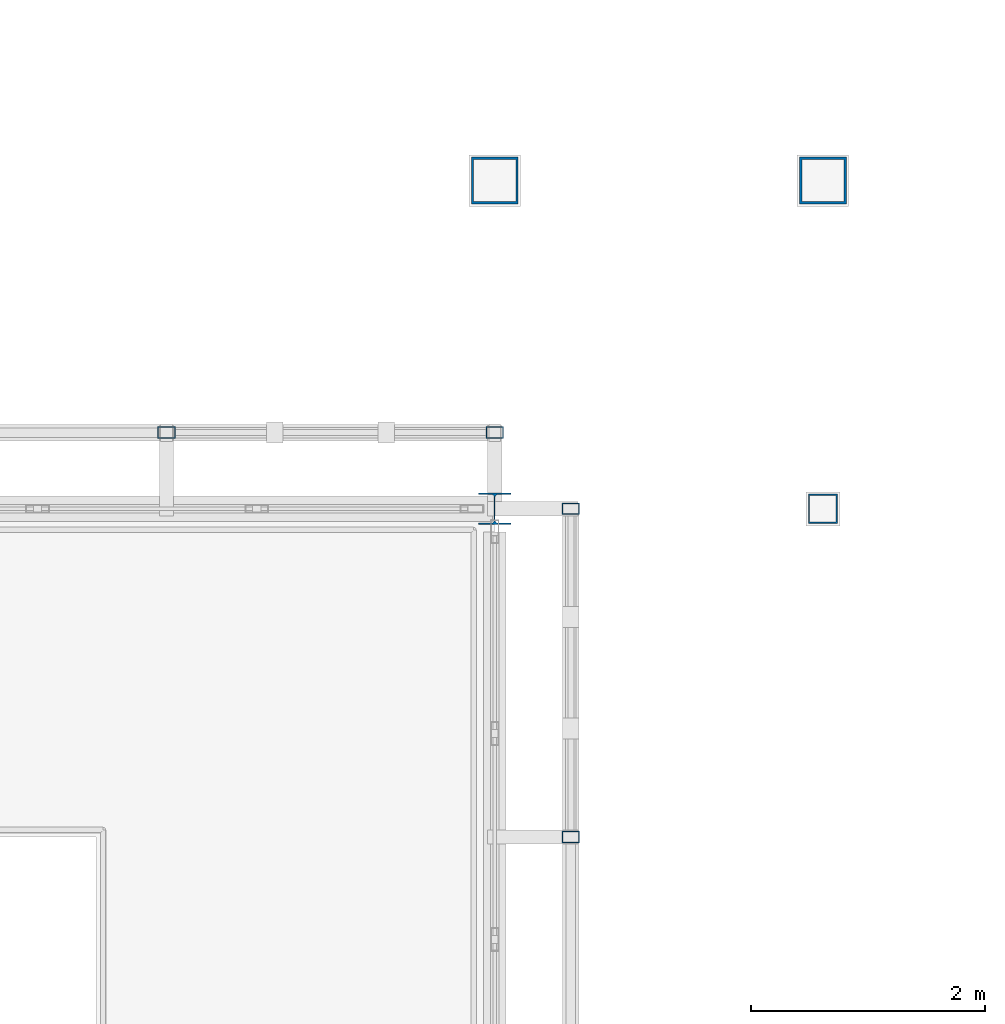
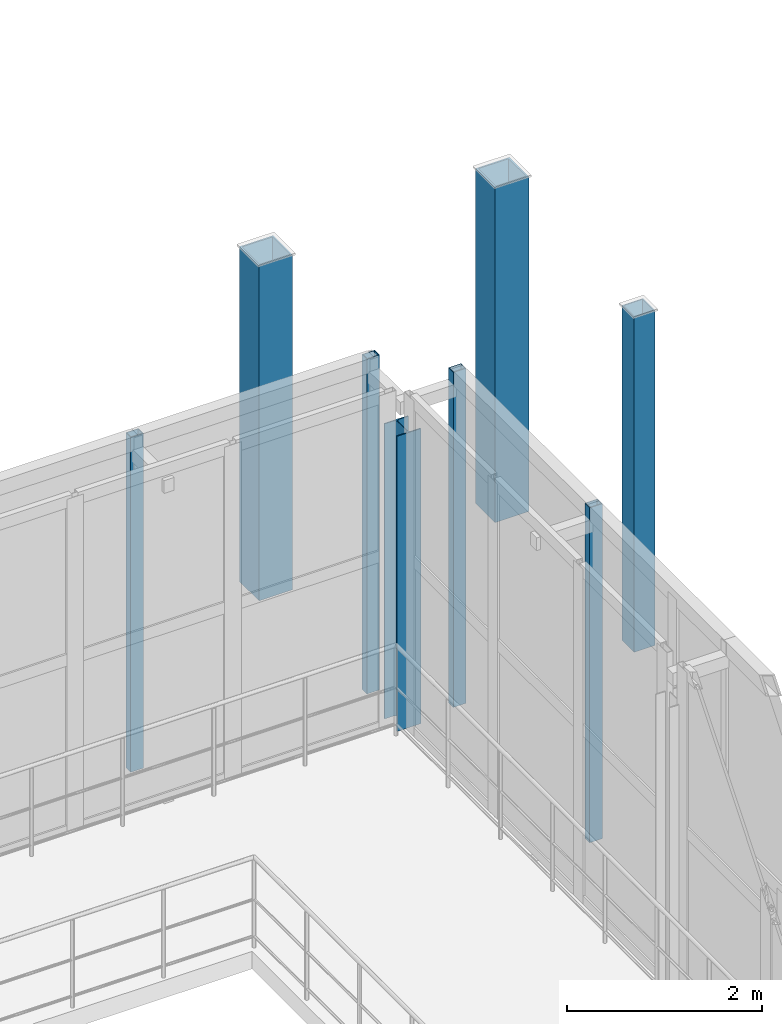
# One storey, part 12 of 78: 8 columns.
"""IFC4 building model written with IfcOpenShell, lengths in metres."""

from ifc_helpers import new_model, si_unit, direction, frame, origin, origin_2d, place, context, subcontext, project, spatial, hollow_rectangle, i_section, extrude, material, material_profile, profile_set, type_object, element, save


model = new_model("IFC4")

# Units and contexts
model_context = context("Model", 3, precision=1e-05, world=origin(), true_north=direction((0.0, 1.0)))
body_context = subcontext(model_context, "Body", "Model", "MODEL_VIEW")
ifc_project = project(units=[si_unit("LENGTHUNIT", "METRE"), si_unit("AREAUNIT", "SQUARE_METRE"), si_unit("VOLUMEUNIT", "CUBIC_METRE"), si_unit("PLANEANGLEUNIT", "RADIAN"), si_unit("MASSUNIT", "GRAM", prefix="KILO")], contexts=[model_context])

# Site, building, storey
site_placement = place(None, origin())
site = spatial("IfcSite", under=ifc_project, at=site_placement, CompositionType="ELEMENT")
building_placement = place(site_placement, origin())
building = spatial("IfcBuilding", under=site, at=building_placement, Name="Vinh Khe Railworks Police Headquarters", CompositionType="ELEMENT")
storey_placement = place(building_placement, frame((0.0, 0.0, 13.199951171875)))
storey = spatial("IfcBuildingStorey", under=building, at=storey_placement, Name="L03", CompositionType="ELEMENT", Elevation=13.199951171875)

# Columns
ifc_material = material(Name="Steel S355JR", Category="steel")
ifc_material_profile_1 = material_profile(ifc_material, hollow_rectangle(XDim=0.14990234375, YDim=0.10009765625, WallThickness=0.008056640625, at=origin_2d()), Name="RHS 150x100x8")
ifc_profile_set_1 = profile_set([ifc_material_profile_1], Name="Steel S355JR")
column_type_1 = type_object("IfcColumnType", Name="COL-QUILT-POST", PredefinedType="COLUMN", material=ifc_profile_set_1)
for number, where, z_axis, x_axis, name in (
    (1, (57.199951171875, 59.449951171875, 0.0), (0.0, 0.0, 1.0), (1.0, 0.0, 0.0), "Patchwork Quilt Carrier Column N-12 (L03)"),
    (2, (60.0, 59.449951171875, 0.0), (0.0, 0.0, 1.0), (1.0, 0.0, 0.0), "Patchwork Quilt Carrier Column N-13 (L03)"),
    (3, (60.64990234375, 56.0, 0.0), (0.0, 0.0, 1.0), (1.0, 0.0, 0.0), "Patchwork Quilt Carrier Column E-12 (L03)"),
    (4, (60.64990234375, 58.800048828125, 0.0), (0.0, 0.0, 1.0), (1.0, 0.0, 0.0), "Patchwork Quilt Carrier Column E-13 (L03)"),
):
    element("IfcColumn", number, at=place(storey_placement, frame(where, z_axis=z_axis, x_axis=x_axis)), inside=storey, type_object=column_type_1, Name=name, PredefinedType="COLUMN", context=body_context, shape_type="SweptSolid", body=[
        extrude(hollow_rectangle(XDim=0.14990234375, YDim=0.10009765625, WallThickness=0.008056640625, at=origin_2d()), origin(), (0.0, 0.0, 1.0), 4.199951171875),
    ])
ifc_material_profile_2 = material_profile(ifc_material, i_section(OverallWidth=0.280029296875, OverallDepth=0.27001953125, WebThickness=0.008056640625, FlangeThickness=0.012939453125, FilletRadius=0.02392578125, at=origin_2d()), Name="HEA 280")
ifc_profile_set_2 = profile_set([ifc_material_profile_2], Name="Steel S355JR")
column_type_2 = type_object("IfcColumnType", Name="Steel Column HEA 280", PredefinedType="COLUMN", material=ifc_profile_set_2)
column_1_placement = place(storey_placement, frame((60.0, 58.800048828125, 0.0), z_axis=(0.0, 0.0, 1.0), x_axis=(1.0, 0.0, 0.0)))
element("IfcColumn", 5, at=column_1_placement, inside=storey, type_object=column_type_2, Name="Column COL-L03-SC-19-1041", PredefinedType="COLUMN", context=body_context, shape_type="SweptSolid", body=[
    extrude(i_section(OverallWidth=0.280029296875, OverallDepth=0.27001953125, WebThickness=0.008056640625, FlangeThickness=0.012939453125, FilletRadius=0.02392578125, at=origin_2d()), origin(), (0.0, 0.0, 1.0), 3.699951171875),
])
ifc_material_profile_3 = material_profile(ifc_material, hollow_rectangle(XDim=0.25, YDim=0.25, WallThickness=0.012451171875, at=origin_2d()), Name="SHS 250x250x12.5")
ifc_profile_set_3 = profile_set([ifc_material_profile_3], Name="Steel S355JR")
column_type_3 = type_object("IfcColumnType", Name="Steel Column SHS 250x250x12.5", PredefinedType="COLUMN", material=ifc_profile_set_3)
column_2_placement = place(storey_placement, frame((62.800048828125, 58.800048828125, 0.0), z_axis=(0.0, 0.0, 1.0), x_axis=(1.0, 0.0, 0.0)))
element("IfcColumn", 6, at=column_2_placement, inside=storey, type_object=column_type_3, Name="Column COL-L03-SC-24-1105", PredefinedType="COLUMN", context=body_context, shape_type="SweptSolid", body=[
    extrude(hollow_rectangle(XDim=0.25, YDim=0.25, WallThickness=0.012451171875, at=origin_2d()), origin(), (0.0, 0.0, 1.0), 4.199951171875),
])
ifc_material_profile_4 = material_profile(ifc_material, hollow_rectangle(XDim=0.39990234375, YDim=0.39990234375, WallThickness=0.02001953125, at=origin_2d()), Name="SHS 400x400x20")
ifc_profile_set_4 = profile_set([ifc_material_profile_4], Name="Steel S355JR")
column_type_4 = type_object("IfcColumnType", Name="Steel Column SHS 400x400x20", PredefinedType="COLUMN", material=ifc_profile_set_4)
for number, where, z_axis, x_axis, name in (
    (7, (60.0, 61.60009765625, 0.0), (0.0, 0.0, 1.0), (1.0, 0.0, 0.0), "Column COL-L03-SC-21-1046"),
    (8, (62.800048828125, 61.60009765625, 0.0), (0.0, 0.0, 1.0), (1.0, 0.0, 0.0), "Column COL-L03-SC-21-1110"),
):
    element("IfcColumn", number, at=place(storey_placement, frame(where, z_axis=z_axis, x_axis=x_axis)), inside=storey, type_object=column_type_4, Name=name, PredefinedType="COLUMN", context=body_context, shape_type="SweptSolid", body=[
        extrude(hollow_rectangle(XDim=0.39990234375, YDim=0.39990234375, WallThickness=0.02001953125, at=origin_2d()), origin(), (0.0, 0.0, 1.0), 4.199951171875),
    ])

save(model, "model.ifc")
